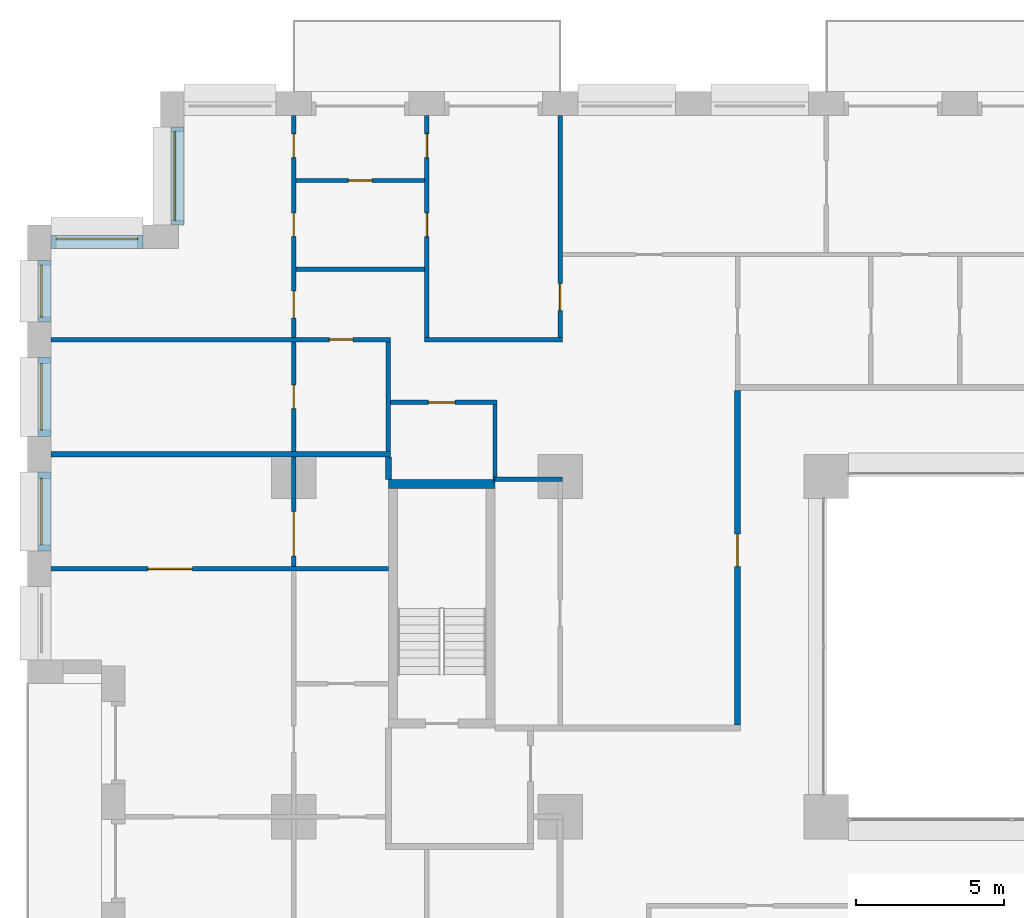
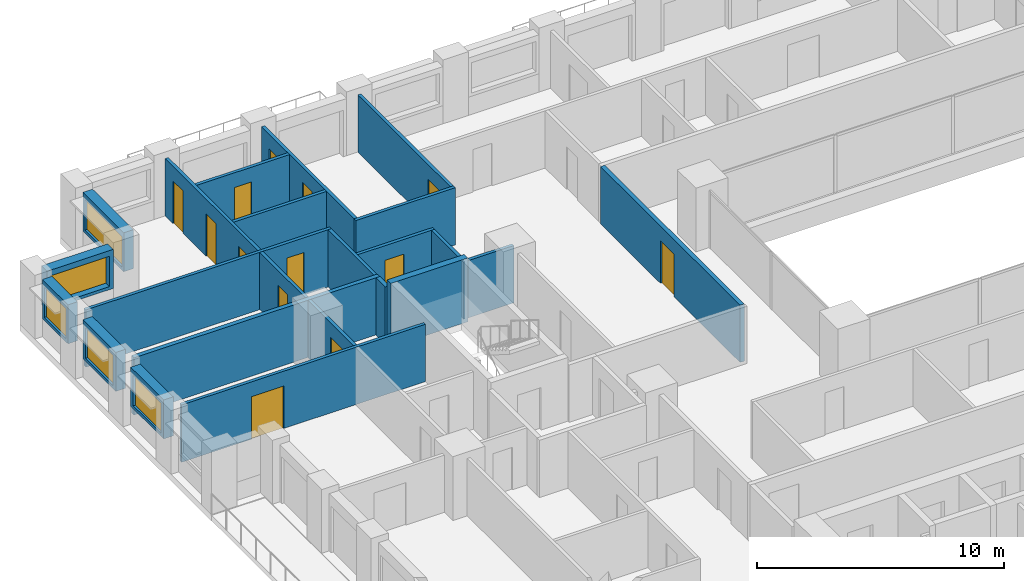
# One storey, part 13 of 19: 24 walls, 13 doors, 5 windows, 18 openings.
"""IFC4 building model written with IfcOpenShell, lengths in metres."""

from ifc_helpers import new_model, si_unit, direction, frame, frame_2d, origin, place, context, subcontext, project, spatial, rectangle, extrude, material, layer, layer_set, type_object, element, fill, save


model = new_model("IFC4")

# Units and contexts
model_context = context("Model", 3, precision=1e-05, world=origin(), true_north=direction((0.0, 1.0)))
body_context = subcontext(model_context, "Body", "Model", "MODEL_VIEW")
ifc_project = project(units=[si_unit("LENGTHUNIT", "METRE"), si_unit("AREAUNIT", "SQUARE_METRE"), si_unit("VOLUMEUNIT", "CUBIC_METRE"), si_unit("PLANEANGLEUNIT", "RADIAN"), si_unit("MASSUNIT", "GRAM", prefix="KILO")], contexts=[model_context])

# Site, building, storey
site_placement = place(None, origin())
site = spatial("IfcSite", under=ifc_project, at=site_placement, CompositionType="ELEMENT")
building_placement = place(site_placement, origin())
building = spatial("IfcBuilding", under=site, at=building_placement, Name="Brigalow Station Residences", CompositionType="ELEMENT")
storey_placement = place(building_placement, frame((0.0, 0.0, 35.25)))
storey = spatial("IfcBuildingStorey", under=building, at=storey_placement, Name="L09", CompositionType="ELEMENT", Elevation=35.25)

# Wall, opening, window
ifc_material_1 = material(Name="Clay brick masonry", Category="masonry")
ifc_layer_1 = layer(ifc_material_1, 0.449951171875)
ifc_layer_set_1 = layer_set([ifc_layer_1], Name="BRICK INFILL WALL 450")
wall_type_1 = type_object("IfcWallType", Name="BRICK INFILL WALL 450", PredefinedType="SOLIDWALL", material=ifc_layer_set_1)
wall_1_placement = place(storey_placement, frame((5.074951171875, 47.300048828125, 0.89990234375), z_axis=(0.0, 0.0, 1.0), x_axis=(0.0, -1.0, 0.0)))
wall_1 = element("IfcWall", 1, at=wall_1_placement, inside=storey, type_object=wall_type_1, Name="L09/ewall/W-L09-40", PredefinedType="SOLIDWALL", context=body_context, shape_type="SweptSolid", body=[
    extrude(rectangle(XDim=3.300048828125, YDim=0.449951171875, at=frame_2d((1.64990234375, 0.0))), origin(), (0.0, 0.0, 1.0), 1.93017578125),
])
opening_1_placement = place(wall_1_placement, frame((0.14990234375, 0.0, 0.14990234375)))
opening_1 = element("IfcOpeningElement", 2, at=opening_1_placement, cuts=wall_1, Name="Opening WT-2", PredefinedType="OPENING", context=body_context, shape_type="SweptSolid", body=[
    extrude(rectangle(XDim=3.0, YDim=1.5, at=frame_2d((1.5, 0.75))), frame((0.0, 0.23486328125, 0.0), z_axis=(0.0, -1.0, 0.0), x_axis=(1.0, 0.0, 0.0)), (0.0, 0.0, 1.0), 0.469970703125),
])
ifc_material_2 = material(Name="Anodised aluminium frame with double glazing", Category="aluminium")
window_type_1 = type_object("IfcWindowType", Name="WINDOW 3000x1500", PartitioningType="SINGLE_PANEL", PredefinedType="WINDOW", material=ifc_material_2)
window_1_placement = place(opening_1_placement, origin())
window_1 = element("IfcWindow", 3, at=window_1_placement, inside=storey, type_object=window_type_1, Name="L09/window/W-L09-40", OverallHeight=1.5, OverallWidth=3.0, PartitioningType="SINGLE_PANEL", PredefinedType="WINDOW", context=body_context, shape_type="SweptSolid", body=[
    extrude(rectangle(XDim=3.0, YDim=1.5, at=frame_2d((1.5, 0.75))), frame((0.0, -0.06494140625, 0.0), z_axis=(0.0, -1.0, 0.0), x_axis=(1.0, 0.0, 0.0)), (0.0, 0.0, 1.0), 0.06005859375),
])
fill(opening_1, window_1)

wall_2_placement = place(storey_placement, frame((3.89990234375, 43.425048828125, 0.89990234375), z_axis=(0.0, 0.0, 1.0), x_axis=(-1.0, 0.0, 0.0)))
wall_2 = element("IfcWall", 4, at=wall_2_placement, inside=storey, type_object=wall_type_1, Name="L09/ewall/W-L09-41", PredefinedType="SOLIDWALL", context=body_context, shape_type="SweptSolid", body=[
    extrude(rectangle(XDim=3.099853515625, YDim=0.449951171875, at=frame_2d((1.5498046875, 0.0))), origin(), (0.0, 0.0, 1.0), 1.93017578125),
])
opening_2_placement = place(wall_2_placement, frame((0.175048828125, 0.0, 0.14990234375)))
opening_2 = element("IfcOpeningElement", 5, at=opening_2_placement, cuts=wall_2, Name="Opening WT-3", PredefinedType="OPENING", context=body_context, shape_type="SweptSolid", body=[
    extrude(rectangle(XDim=2.75, YDim=1.5, at=frame_2d((1.375, 0.75))), frame((0.0, 0.23486328125, 0.0), z_axis=(0.0, -1.0, 0.0), x_axis=(1.0, 0.0, 0.0)), (0.0, 0.0, 1.0), 0.469970703125),
])
ifc_material_3 = material(Name="Anodised aluminium frame with double glazing", Category="aluminium")
window_type_2 = type_object("IfcWindowType", Name="WINDOW 2750x1500", PartitioningType="SINGLE_PANEL", PredefinedType="WINDOW", material=ifc_material_3)
window_2_placement = place(opening_2_placement, origin())
window_2 = element("IfcWindow", 6, at=window_2_placement, inside=storey, type_object=window_type_2, Name="L09/window/W-L09-41", OverallHeight=1.5, OverallWidth=2.75, PartitioningType="SINGLE_PANEL", PredefinedType="WINDOW", context=body_context, shape_type="SweptSolid", body=[
    extrude(rectangle(XDim=2.75, YDim=1.5, at=frame_2d((1.375, 0.75))), frame((0.0, -0.06494140625, 0.0), z_axis=(0.0, -1.0, 0.0), x_axis=(1.0, 0.0, 0.0)), (0.0, 0.0, 1.0), 0.06005859375),
])
fill(opening_2, window_2)

wall_3_placement = place(storey_placement, frame((0.574951171875, 42.800048828125, 0.89990234375), z_axis=(0.0, 0.0, 1.0), x_axis=(0.0, -1.0, 0.0)))
wall_3 = element("IfcWall", 7, at=wall_3_placement, inside=storey, type_object=wall_type_1, Name="L09/ewall/W-L09-42", PredefinedType="SOLIDWALL", context=body_context, shape_type="SweptSolid", body=[
    extrude(rectangle(XDim=2.074951171875, YDim=0.449951171875, at=frame_2d((1.03759765625, 0.0))), origin(), (0.0, 0.0, 1.0), 1.93017578125),
])
opening_3_placement = place(wall_3_placement, frame((0.16259765625, 0.0, 0.14990234375)))
opening_3 = element("IfcOpeningElement", 8, at=opening_3_placement, cuts=wall_3, Name="Opening WT-4", PredefinedType="OPENING", context=body_context, shape_type="SweptSolid", body=[
    extrude(rectangle(XDim=1.75, YDim=1.5, at=frame_2d((0.875, 0.75))), frame((0.0, 0.23486328125, 0.0), z_axis=(0.0, -1.0, 0.0), x_axis=(1.0, 0.0, 0.0)), (0.0, 0.0, 1.0), 0.469970703125),
])
ifc_material_4 = material(Name="Anodised aluminium frame with double glazing", Category="aluminium")
window_type_3 = type_object("IfcWindowType", Name="WINDOW 1750x1500", PartitioningType="SINGLE_PANEL", PredefinedType="WINDOW", material=ifc_material_4)
window_3_placement = place(opening_3_placement, origin())
window_3 = element("IfcWindow", 9, at=window_3_placement, inside=storey, type_object=window_type_3, Name="L09/window/W-L09-42", OverallHeight=1.5, OverallWidth=1.75, PartitioningType="SINGLE_PANEL", PredefinedType="WINDOW", context=body_context, shape_type="SweptSolid", body=[
    extrude(rectangle(XDim=1.75, YDim=1.5, at=frame_2d((0.875, 0.75))), frame((0.0, -0.06494140625, 0.0), z_axis=(0.0, -1.0, 0.0), x_axis=(1.0, 0.0, 0.0)), (0.0, 0.0, 1.0), 0.06005859375),
])
fill(opening_3, window_3)

wall_4_placement = place(storey_placement, frame((0.574951171875, 39.52490234375, 0.89990234375), z_axis=(0.0, 0.0, 1.0), x_axis=(0.0, -1.0, 0.0)))
wall_4 = element("IfcWall", 10, at=wall_4_placement, inside=storey, type_object=wall_type_1, Name="L09/ewall/W-L09-43", PredefinedType="SOLIDWALL", context=body_context, shape_type="SweptSolid", body=[
    extrude(rectangle(XDim=2.6748046875, YDim=0.449951171875, at=frame_2d((1.33740234375, 0.0))), origin(), (0.0, 0.0, 1.0), 1.93017578125),
])
opening_4_placement = place(wall_4_placement, frame((0.21240234375, 0.0, 0.14990234375)))
opening_4 = element("IfcOpeningElement", 11, at=opening_4_placement, cuts=wall_4, Name="Opening WT-6", PredefinedType="OPENING", context=body_context, shape_type="SweptSolid", body=[
    extrude(rectangle(XDim=2.25, YDim=1.5, at=frame_2d((1.125, 0.75))), frame((0.0, 0.23486328125, 0.0), z_axis=(0.0, -1.0, 0.0), x_axis=(1.0, 0.0, 0.0)), (0.0, 0.0, 1.0), 0.469970703125),
])
ifc_material_5 = material(Name="Anodised aluminium frame with double glazing", Category="aluminium")
window_type_4 = type_object("IfcWindowType", Name="WINDOW 2250x1500", PartitioningType="SINGLE_PANEL", PredefinedType="WINDOW", material=ifc_material_5)
window_4_placement = place(opening_4_placement, origin())
window_4 = element("IfcWindow", 12, at=window_4_placement, inside=storey, type_object=window_type_4, Name="L09/window/W-L09-43", OverallHeight=1.5, OverallWidth=2.25, PartitioningType="SINGLE_PANEL", PredefinedType="WINDOW", context=body_context, shape_type="SweptSolid", body=[
    extrude(rectangle(XDim=2.25, YDim=1.5, at=frame_2d((1.125, 0.75))), frame((0.0, -0.06494140625, 0.0), z_axis=(0.0, -1.0, 0.0), x_axis=(1.0, 0.0, 0.0)), (0.0, 0.0, 1.0), 0.06005859375),
])
fill(opening_4, window_4)

wall_5_placement = place(storey_placement, frame((0.574951171875, 35.64990234375, 0.89990234375), z_axis=(0.0, 0.0, 1.0), x_axis=(0.0, -1.0, 0.0)))
wall_5 = element("IfcWall", 13, at=wall_5_placement, inside=storey, type_object=wall_type_1, Name="L09/ewall/W-L09-44", PredefinedType="SOLIDWALL", context=body_context, shape_type="SweptSolid", body=[
    extrude(rectangle(XDim=2.6748046875, YDim=0.449951171875, at=frame_2d((1.33740234375, 0.0))), origin(), (0.0, 0.0, 1.0), 1.93017578125),
])
opening_5_placement = place(wall_5_placement, frame((0.21240234375, 0.0, 0.14990234375)))
opening_5 = element("IfcOpeningElement", 14, at=opening_5_placement, cuts=wall_5, Name="Opening WT-6", PredefinedType="OPENING", context=body_context, shape_type="SweptSolid", body=[
    extrude(rectangle(XDim=2.25, YDim=1.5, at=frame_2d((1.125, 0.75))), frame((0.0, 0.23486328125, 0.0), z_axis=(0.0, -1.0, 0.0), x_axis=(1.0, 0.0, 0.0)), (0.0, 0.0, 1.0), 0.469970703125),
])
window_5_placement = place(opening_5_placement, origin())
window_5 = element("IfcWindow", 15, at=window_5_placement, inside=storey, type_object=window_type_4, Name="L09/window/W-L09-44", OverallHeight=1.5, OverallWidth=2.25, PartitioningType="SINGLE_PANEL", PredefinedType="WINDOW", context=body_context, shape_type="SweptSolid", body=[
    extrude(rectangle(XDim=2.25, YDim=1.5, at=frame_2d((1.125, 0.75))), frame((0.0, -0.06494140625, 0.0), z_axis=(0.0, -1.0, 0.0), x_axis=(1.0, 0.0, 0.0)), (0.0, 0.0, 1.0), 0.06005859375),
])
fill(opening_5, window_5)

# Wall
ifc_material_6 = material(Name="Concrete C80", Category="concrete")
ifc_layer_2 = layer(ifc_material_6, 0.300048828125)
ifc_layer_set_2 = layer_set([ifc_layer_2], Name="CORE SHEAR WALL 300 C80")
wall_type_2 = type_object("IfcWallType", Name="CORE SHEAR WALL 300 C80", PredefinedType="SHEAR", material=ifc_layer_set_2)
wall_6_placement = place(storey_placement, frame((12.199951171875, 35.25, 0.0), z_axis=(0.0, 0.0, 1.0), x_axis=(1.0, 0.0, 0.0)))
element("IfcWall", 16, at=wall_6_placement, inside=storey, type_object=wall_type_2, Name="CORE WALL ST-S1-N L09", PredefinedType="SHEAR", context=body_context, shape_type="SweptSolid", body=[
    extrude(rectangle(XDim=3.60009765625, YDim=0.300048828125, at=frame_2d((1.800048828125, 0.0))), origin(), (0.0, 0.0, 1.0), 3.14990234375),
])

# Wall, opening, door
ifc_material_7 = material(Name="Plasterboard on steel stud partition", Category="steel")
ifc_layer_3 = layer(ifc_material_7, 0.14990234375)
ifc_layer_set_3 = layer_set([ifc_layer_3], Name="FLAT PARTITION 150")
wall_type_3 = type_object("IfcWallType", Name="FLAT PARTITION 150", PredefinedType="PARTITIONING", material=ifc_layer_set_3)
wall_7_placement = place(storey_placement, frame((0.800048828125, 32.375, 0.0), z_axis=(0.0, 0.0, 1.0), x_axis=(1.0, 0.0, 0.0)))
wall_7 = element("IfcWall", 17, at=wall_7_placement, inside=storey, type_object=wall_type_3, Name="PW-1B17", PredefinedType="PARTITIONING", context=body_context, shape_type="SweptSolid", body=[
    extrude(rectangle(XDim=11.39990234375, YDim=0.14990234375, at=frame_2d((5.699951171875, 0.0))), origin(), (0.0, 0.0, 1.0), 2.830078125),
])
opening_6_placement = place(wall_7_placement, frame((3.27490234375, 0.0, 0.0)))
opening_6 = element("IfcOpeningElement", 18, at=opening_6_placement, cuts=wall_7, Name="Opening D-1B09", PredefinedType="OPENING", context=body_context, shape_type="SweptSolid", body=[
    extrude(rectangle(XDim=1.5, YDim=2.10009765625, at=frame_2d((0.75, 1.050048828125))), frame((0.0, 0.0849609375, 0.0), z_axis=(0.0, -1.0, 0.0), x_axis=(1.0, 0.0, 0.0)), (0.0, 0.0, 1.0), 0.169921875),
])
ifc_material_8 = material(Name="Solid-core timber door leaf", Category="wood")
door_type_1 = type_object("IfcDoorType", Name="INTERNAL DOUBLE DOOR 1500 x 2100", OperationType="DOUBLE_DOOR_SINGLE_SWING", PredefinedType="DOOR", material=ifc_material_8)
door_1_placement = place(opening_6_placement, origin())
door_1 = element("IfcDoor", 19, at=door_1_placement, inside=storey, type_object=door_type_1, Name="D-1B09", OperationType="DOUBLE_DOOR_SINGLE_SWING", OverallHeight=2.10009765625, OverallWidth=1.5, PredefinedType="DOOR", context=body_context, shape_type="SweptSolid", body=[
    extrude(rectangle(XDim=1.5, YDim=2.10009765625, at=frame_2d((0.75, 1.050048828125))), frame((0.0, 0.02490234375, 0.0), z_axis=(0.0, -1.0, 0.0), x_axis=(1.0, 0.0, 0.0)), (0.0, 0.0, 1.0), 0.050048828125),
])
fill(opening_6, door_1)

# Walls
wall_8_placement = place(storey_placement, frame((15.72509765625, 35.39990234375, 0.0), z_axis=(0.0, 0.0, 1.0), x_axis=(1.0, 0.0, 0.0)))
element("IfcWall", 20, at=wall_8_placement, inside=storey, type_object=wall_type_3, Name="PW-1B25", PredefinedType="PARTITIONING", context=body_context, shape_type="SweptSolid", body=[
    extrude(rectangle(XDim=0.074951171875, YDim=0.14990234375, at=frame_2d((0.03759765625, 0.0))), origin(), (0.0, 0.0, 1.0), 2.830078125),
])
wall_9_placement = place(storey_placement, frame((15.800048828125, 35.39990234375, 0.0), z_axis=(0.0, 0.0, 1.0), x_axis=(1.0, 0.0, 0.0)))
element("IfcWall", 21, at=wall_9_placement, inside=storey, type_object=wall_type_3, Name="PW-1B26", PredefinedType="PARTITIONING", context=body_context, shape_type="SweptSolid", body=[
    extrude(rectangle(XDim=2.27490234375, YDim=0.14990234375, at=frame_2d((1.137451171875, 0.0))), origin(), (0.0, 0.0, 1.0), 2.830078125),
])

# Wall, opening, door
wall_10_placement = place(storey_placement, frame((0.800048828125, 40.125, 0.0), z_axis=(0.0, 0.0, 1.0), x_axis=(1.0, 0.0, 0.0)))
wall_10 = element("IfcWall", 22, at=wall_10_placement, inside=storey, type_object=wall_type_3, Name="PW-1B29", PredefinedType="PARTITIONING", context=body_context, shape_type="SweptSolid", body=[
    extrude(rectangle(XDim=11.474853515625, YDim=0.14990234375, at=frame_2d((5.7373046875, 0.0))), origin(), (0.0, 0.0, 1.0), 2.830078125),
])
opening_7_placement = place(wall_10_placement, frame((9.39990234375, 0.0, 0.0)))
opening_7 = element("IfcOpeningElement", 23, at=opening_7_placement, cuts=wall_10, Name="Opening D-1B33", PredefinedType="OPENING", context=body_context, shape_type="SweptSolid", body=[
    extrude(rectangle(XDim=0.800048828125, YDim=2.10009765625, at=frame_2d((0.39990234375, 1.050048828125))), frame((0.0, 0.0849609375, 0.0), z_axis=(0.0, -1.0, 0.0), x_axis=(1.0, 0.0, 0.0)), (0.0, 0.0, 1.0), 0.169921875),
])
ifc_material_9 = material(Name="Solid-core timber door leaf", Category="wood")
door_type_2 = type_object("IfcDoorType", Name="INTERNAL DOOR 800 x 2100", OperationType="SINGLE_SWING_LEFT", PredefinedType="DOOR", material=ifc_material_9)
door_2_placement = place(opening_7_placement, frame((0.800048828125, 0.0, 0.0), z_axis=(0.0, 0.0, 1.0), x_axis=(-1.0, 0.0, 0.0)))
door_2 = element("IfcDoor", 24, at=door_2_placement, inside=storey, type_object=door_type_2, Name="D-1B33", OperationType="SINGLE_SWING_RIGHT", OverallHeight=2.10009765625, OverallWidth=0.800048828125, PredefinedType="DOOR", context=body_context, shape_type="SweptSolid", body=[
    extrude(rectangle(XDim=0.800048828125, YDim=2.10009765625, at=frame_2d((0.39990234375, 1.050048828125))), frame((0.0, 0.02490234375, 0.0), z_axis=(0.0, -1.0, 0.0), x_axis=(1.0, 0.0, 0.0)), (0.0, 0.0, 1.0), 0.050048828125),
])
fill(opening_7, door_2)

# Wall
wall_11_placement = place(storey_placement, frame((13.425048828125, 40.125, 0.0), z_axis=(0.0, 0.0, 1.0), x_axis=(1.0, 0.0, 0.0)))
element("IfcWall", 25, at=wall_11_placement, inside=storey, type_object=wall_type_3, Name="PW-1B30", PredefinedType="PARTITIONING", context=body_context, shape_type="SweptSolid", body=[
    extrude(rectangle(XDim=4.64990234375, YDim=0.14990234375, at=frame_2d((2.324951171875, 0.0))), origin(), (0.0, 0.0, 1.0), 2.830078125),
])

# Wall, opening, door
wall_12_placement = place(storey_placement, frame((12.27490234375, 38.0, 0.0), z_axis=(0.0, 0.0, 1.0), x_axis=(1.0, 0.0, 0.0)))
wall_12 = element("IfcWall", 26, at=wall_12_placement, inside=storey, type_object=wall_type_3, Name="PW-1B32", PredefinedType="PARTITIONING", context=body_context, shape_type="SweptSolid", body=[
    extrude(rectangle(XDim=3.60009765625, YDim=0.14990234375, at=frame_2d((1.800048828125, 0.0))), origin(), (0.0, 0.0, 1.0), 2.830078125),
])
opening_8_placement = place(wall_12_placement, frame((1.27490234375, 0.0, 0.0)))
opening_8 = element("IfcOpeningElement", 27, at=opening_8_placement, cuts=wall_12, Name="Opening D-1B32", PredefinedType="OPENING", context=body_context, shape_type="SweptSolid", body=[
    extrude(rectangle(XDim=0.89990234375, YDim=2.10009765625, at=frame_2d((0.449951171875, 1.050048828125))), frame((0.0, 0.0849609375, 0.0), z_axis=(0.0, -1.0, 0.0), x_axis=(1.0, 0.0, 0.0)), (0.0, 0.0, 1.0), 0.169921875),
])
ifc_material_10 = material(Name="Solid-core timber door leaf", Category="wood")
door_type_3 = type_object("IfcDoorType", Name="INTERNAL DOOR 900 x 2100", OperationType="SINGLE_SWING_LEFT", PredefinedType="DOOR", material=ifc_material_10)
door_3_placement = place(opening_8_placement, frame((0.89990234375, 0.0, 0.0), z_axis=(0.0, 0.0, 1.0), x_axis=(-1.0, 0.0, 0.0)))
door_3 = element("IfcDoor", 28, at=door_3_placement, inside=storey, type_object=door_type_3, Name="D-1B32", OperationType="SINGLE_SWING_LEFT", OverallHeight=2.10009765625, OverallWidth=0.89990234375, PredefinedType="DOOR", context=body_context, shape_type="SweptSolid", body=[
    extrude(rectangle(XDim=0.89990234375, YDim=2.10009765625, at=frame_2d((0.449951171875, 1.050048828125))), frame((0.0, 0.02490234375, 0.0), z_axis=(0.0, -1.0, 0.0), x_axis=(1.0, 0.0, 0.0)), (0.0, 0.0, 1.0), 0.050048828125),
])
fill(opening_8, door_3)

# Wall
wall_13_placement = place(storey_placement, frame((9.074951171875, 42.5, 0.0), z_axis=(0.0, 0.0, 1.0), x_axis=(1.0, 0.0, 0.0)))
element("IfcWall", 29, at=wall_13_placement, inside=storey, type_object=wall_type_3, Name="PW-1B33", PredefinedType="PARTITIONING", context=body_context, shape_type="SweptSolid", body=[
    extrude(rectangle(XDim=4.35009765625, YDim=0.14990234375, at=frame_2d((2.175048828125, 0.0))), origin(), (0.0, 0.0, 1.0), 2.830078125),
])

# Wall, opening, door
wall_14_placement = place(storey_placement, frame((9.074951171875, 45.5, 0.0), z_axis=(0.0, 0.0, 1.0), x_axis=(1.0, 0.0, 0.0)))
wall_14 = element("IfcWall", 30, at=wall_14_placement, inside=storey, type_object=wall_type_3, Name="PW-1B34", PredefinedType="PARTITIONING", context=body_context, shape_type="SweptSolid", body=[
    extrude(rectangle(XDim=4.35009765625, YDim=0.14990234375, at=frame_2d((2.175048828125, 0.0))), origin(), (0.0, 0.0, 1.0), 2.830078125),
])
opening_9_placement = place(wall_14_placement, frame((1.77490234375, 0.0, 0.0)))
opening_9 = element("IfcOpeningElement", 31, at=opening_9_placement, cuts=wall_14, Name="Opening D-1B25", PredefinedType="OPENING", context=body_context, shape_type="SweptSolid", body=[
    extrude(rectangle(XDim=0.800048828125, YDim=2.10009765625, at=frame_2d((0.39990234375, 1.050048828125))), frame((0.0, 0.0849609375, 0.0), z_axis=(0.0, -1.0, 0.0), x_axis=(1.0, 0.0, 0.0)), (0.0, 0.0, 1.0), 0.169921875),
])
door_4_placement = place(opening_9_placement, origin())
door_4 = element("IfcDoor", 32, at=door_4_placement, inside=storey, type_object=door_type_2, Name="D-1B25", OperationType="SINGLE_SWING_RIGHT", OverallHeight=2.10009765625, OverallWidth=0.800048828125, PredefinedType="DOOR", context=body_context, shape_type="SweptSolid", body=[
    extrude(rectangle(XDim=0.800048828125, YDim=2.10009765625, at=frame_2d((0.39990234375, 1.050048828125))), frame((0.0, 0.02490234375, 0.0), z_axis=(0.0, -1.0, 0.0), x_axis=(1.0, 0.0, 0.0)), (0.0, 0.0, 1.0), 0.050048828125),
])
fill(opening_9, door_4)

wall_15_placement = place(storey_placement, frame((18.0, 40.199951171875, 0.0), z_axis=(0.0, 0.0, 1.0), x_axis=(0.0, 1.0, 0.0)))
wall_15 = element("IfcWall", 33, at=wall_15_placement, inside=storey, type_object=wall_type_3, Name="PW-1B38", PredefinedType="PARTITIONING", context=body_context, shape_type="SweptSolid", body=[
    extrude(rectangle(XDim=7.5, YDim=0.14990234375, at=frame_2d((3.75, 0.0))), origin(), (0.0, 0.0, 1.0), 2.830078125),
])
opening_10_placement = place(wall_15_placement, frame((0.912109375, 0.0, 0.0)))
opening_10 = element("IfcOpeningElement", 34, at=opening_10_placement, cuts=wall_15, Name="Opening D-1B20", PredefinedType="OPENING", context=body_context, shape_type="SweptSolid", body=[
    extrude(rectangle(XDim=0.89990234375, YDim=2.10009765625, at=frame_2d((0.449951171875, 1.050048828125))), frame((0.0, 0.0849609375, 0.0), z_axis=(0.0, -1.0, 0.0), x_axis=(1.0, 0.0, 0.0)), (0.0, 0.0, 1.0), 0.169921875),
])
door_5_placement = place(opening_10_placement, origin())
door_5 = element("IfcDoor", 35, at=door_5_placement, inside=storey, type_object=door_type_3, Name="D-1B20", OperationType="SINGLE_SWING_LEFT", OverallHeight=2.10009765625, OverallWidth=0.89990234375, PredefinedType="DOOR", context=body_context, shape_type="SweptSolid", body=[
    extrude(rectangle(XDim=0.89990234375, YDim=2.10009765625, at=frame_2d((0.449951171875, 1.050048828125))), frame((0.0, 0.02490234375, 0.0), z_axis=(0.0, -1.0, 0.0), x_axis=(1.0, 0.0, 0.0)), (0.0, 0.0, 1.0), 0.050048828125),
])
fill(opening_10, door_5)

wall_16_placement = place(storey_placement, frame((9.0, 32.449951171875, 0.0), z_axis=(0.0, 0.0, 1.0), x_axis=(0.0, 1.0, 0.0)))
wall_16 = element("IfcWall", 36, at=wall_16_placement, inside=storey, type_object=wall_type_3, Name="PW-1B53", PredefinedType="PARTITIONING", context=body_context, shape_type="SweptSolid", body=[
    extrude(rectangle(XDim=3.699951171875, YDim=0.14990234375, at=frame_2d((1.85009765625, 0.0))), origin(), (0.0, 0.0, 1.0), 2.830078125),
])
opening_11_placement = place(wall_16_placement, frame((0.362060546875, 0.0, 0.0)))
opening_11 = element("IfcOpeningElement", 37, at=opening_11_placement, cuts=wall_16, Name="Opening D-1B16", PredefinedType="OPENING", context=body_context, shape_type="SweptSolid", body=[
    extrude(rectangle(XDim=1.5, YDim=2.10009765625, at=frame_2d((0.75, 1.050048828125))), frame((0.0, 0.0849609375, 0.0), z_axis=(0.0, -1.0, 0.0), x_axis=(1.0, 0.0, 0.0)), (0.0, 0.0, 1.0), 0.169921875),
])
door_6_placement = place(opening_11_placement, frame((1.5, 0.0, 0.0), z_axis=(0.0, 0.0, 1.0), x_axis=(-1.0, 0.0, 0.0)))
door_6 = element("IfcDoor", 38, at=door_6_placement, inside=storey, type_object=door_type_1, Name="D-1B16", OperationType="DOUBLE_DOOR_SINGLE_SWING", OverallHeight=2.10009765625, OverallWidth=1.5, PredefinedType="DOOR", context=body_context, shape_type="SweptSolid", body=[
    extrude(rectangle(XDim=1.5, YDim=2.10009765625, at=frame_2d((0.75, 1.050048828125))), frame((0.0, 0.02490234375, 0.0), z_axis=(0.0, -1.0, 0.0), x_axis=(1.0, 0.0, 0.0)), (0.0, 0.0, 1.0), 0.050048828125),
])
fill(opening_11, door_6)

wall_17_placement = place(storey_placement, frame((9.0, 36.35009765625, 0.0), z_axis=(0.0, 0.0, 1.0), x_axis=(0.0, 1.0, 0.0)))
wall_17 = element("IfcWall", 39, at=wall_17_placement, inside=storey, type_object=wall_type_3, Name="PW-1B54", PredefinedType="PARTITIONING", context=body_context, shape_type="SweptSolid", body=[
    extrude(rectangle(XDim=3.699951171875, YDim=0.14990234375, at=frame_2d((1.85009765625, 0.0))), origin(), (0.0, 0.0, 1.0), 2.830078125),
])
opening_12_placement = place(wall_17_placement, frame((1.43798828125, 0.0, 0.0)))
opening_12 = element("IfcOpeningElement", 40, at=opening_12_placement, cuts=wall_17, Name="Opening D-1B21", PredefinedType="OPENING", context=body_context, shape_type="SweptSolid", body=[
    extrude(rectangle(XDim=0.800048828125, YDim=2.10009765625, at=frame_2d((0.39990234375, 1.050048828125))), frame((0.0, 0.0849609375, 0.0), z_axis=(0.0, -1.0, 0.0), x_axis=(1.0, 0.0, 0.0)), (0.0, 0.0, 1.0), 0.169921875),
])
door_7_placement = place(opening_12_placement, frame((0.800048828125, 0.0, 0.0), z_axis=(0.0, 0.0, 1.0), x_axis=(-1.0, 0.0, 0.0)))
door_7 = element("IfcDoor", 41, at=door_7_placement, inside=storey, type_object=door_type_2, Name="D-1B21", OperationType="SINGLE_SWING_RIGHT", OverallHeight=2.10009765625, OverallWidth=0.800048828125, PredefinedType="DOOR", context=body_context, shape_type="SweptSolid", body=[
    extrude(rectangle(XDim=0.800048828125, YDim=2.10009765625, at=frame_2d((0.39990234375, 1.050048828125))), frame((0.0, 0.02490234375, 0.0), z_axis=(0.0, -1.0, 0.0), x_axis=(1.0, 0.0, 0.0)), (0.0, 0.0, 1.0), 0.050048828125),
])
fill(opening_12, door_7)

# Wall, openings, doors
wall_18_placement = place(storey_placement, frame((9.0, 40.199951171875, 0.0), z_axis=(0.0, 0.0, 1.0), x_axis=(0.0, 1.0, 0.0)))
wall_18 = element("IfcWall", 42, at=wall_18_placement, inside=storey, type_object=wall_type_3, Name="PW-1B55", PredefinedType="PARTITIONING", context=body_context, shape_type="SweptSolid", body=[
    extrude(rectangle(XDim=7.5, YDim=0.14990234375, at=frame_2d((3.75, 0.0))), origin(), (0.0, 0.0, 1.0), 2.830078125),
])
opening_13_placement = place(wall_18_placement, frame((6.074951171875, 0.0, 0.0)))
opening_13 = element("IfcOpeningElement", 43, at=opening_13_placement, cuts=wall_18, Name="Opening D-1B26", PredefinedType="OPENING", context=body_context, shape_type="SweptSolid", body=[
    extrude(rectangle(XDim=0.800048828125, YDim=2.10009765625, at=frame_2d((0.39990234375, 1.050048828125))), frame((0.0, 0.0849609375, 0.0), z_axis=(0.0, -1.0, 0.0), x_axis=(1.0, 0.0, 0.0)), (0.0, 0.0, 1.0), 0.169921875),
])
opening_14_placement = place(wall_18_placement, frame((3.39990234375, 0.0, 0.0)))
opening_14 = element("IfcOpeningElement", 44, at=opening_14_placement, cuts=wall_18, Name="Opening D-1B27", PredefinedType="OPENING", context=body_context, shape_type="SweptSolid", body=[
    extrude(rectangle(XDim=0.800048828125, YDim=2.10009765625, at=frame_2d((0.39990234375, 1.050048828125))), frame((0.0, 0.0849609375, 0.0), z_axis=(0.0, -1.0, 0.0), x_axis=(1.0, 0.0, 0.0)), (0.0, 0.0, 1.0), 0.169921875),
])
opening_15_placement = place(wall_18_placement, frame((0.662109375, 0.0, 0.0)))
opening_15 = element("IfcOpeningElement", 45, at=opening_15_placement, cuts=wall_18, Name="Opening D-1B31", PredefinedType="OPENING", context=body_context, shape_type="SweptSolid", body=[
    extrude(rectangle(XDim=0.89990234375, YDim=2.10009765625, at=frame_2d((0.449951171875, 1.050048828125))), frame((0.0, 0.0849609375, 0.0), z_axis=(0.0, -1.0, 0.0), x_axis=(1.0, 0.0, 0.0)), (0.0, 0.0, 1.0), 0.169921875),
])
door_8_placement = place(opening_13_placement, frame((0.800048828125, 0.0, 0.0), z_axis=(0.0, 0.0, 1.0), x_axis=(-1.0, 0.0, 0.0)))
door_8 = element("IfcDoor", 46, at=door_8_placement, inside=storey, type_object=door_type_2, Name="D-1B26", OperationType="SINGLE_SWING_LEFT", OverallHeight=2.10009765625, OverallWidth=0.800048828125, PredefinedType="DOOR", context=body_context, shape_type="SweptSolid", body=[
    extrude(rectangle(XDim=0.800048828125, YDim=2.10009765625, at=frame_2d((0.39990234375, 1.050048828125))), frame((0.0, 0.02490234375, 0.0), z_axis=(0.0, -1.0, 0.0), x_axis=(1.0, 0.0, 0.0)), (0.0, 0.0, 1.0), 0.050048828125),
])
fill(opening_13, door_8)
door_9_placement = place(opening_14_placement, frame((0.800048828125, 0.0, 0.0), z_axis=(0.0, 0.0, 1.0), x_axis=(-1.0, 0.0, 0.0)))
door_9 = element("IfcDoor", 47, at=door_9_placement, inside=storey, type_object=door_type_2, Name="D-1B27", OperationType="SINGLE_SWING_LEFT", OverallHeight=2.10009765625, OverallWidth=0.800048828125, PredefinedType="DOOR", context=body_context, shape_type="SweptSolid", body=[
    extrude(rectangle(XDim=0.800048828125, YDim=2.10009765625, at=frame_2d((0.39990234375, 1.050048828125))), frame((0.0, 0.02490234375, 0.0), z_axis=(0.0, -1.0, 0.0), x_axis=(1.0, 0.0, 0.0)), (0.0, 0.0, 1.0), 0.050048828125),
])
fill(opening_14, door_9)
door_10_placement = place(opening_15_placement, origin())
door_10 = element("IfcDoor", 48, at=door_10_placement, inside=storey, type_object=door_type_3, Name="D-1B31", OperationType="SINGLE_SWING_LEFT", OverallHeight=2.10009765625, OverallWidth=0.89990234375, PredefinedType="DOOR", context=body_context, shape_type="SweptSolid", body=[
    extrude(rectangle(XDim=0.89990234375, YDim=2.10009765625, at=frame_2d((0.449951171875, 1.050048828125))), frame((0.0, 0.02490234375, 0.0), z_axis=(0.0, -1.0, 0.0), x_axis=(1.0, 0.0, 0.0)), (0.0, 0.0, 1.0), 0.050048828125),
])
fill(opening_15, door_10)

wall_19_placement = place(storey_placement, frame((13.5, 40.199951171875, 0.0), z_axis=(0.0, 0.0, 1.0), x_axis=(0.0, 1.0, 0.0)))
wall_19 = element("IfcWall", 49, at=wall_19_placement, inside=storey, type_object=wall_type_3, Name="PW-1B58", PredefinedType="PARTITIONING", context=body_context, shape_type="SweptSolid", body=[
    extrude(rectangle(XDim=7.5, YDim=0.14990234375, at=frame_2d((3.75, 0.0))), origin(), (0.0, 0.0, 1.0), 2.830078125),
])
opening_16_placement = place(wall_19_placement, frame((6.074951171875, 0.0, 0.0)))
opening_16 = element("IfcOpeningElement", 50, at=opening_16_placement, cuts=wall_19, Name="Opening D-1B18", PredefinedType="OPENING", context=body_context, shape_type="SweptSolid", body=[
    extrude(rectangle(XDim=0.800048828125, YDim=2.10009765625, at=frame_2d((0.39990234375, 1.050048828125))), frame((0.0, 0.0849609375, 0.0), z_axis=(0.0, -1.0, 0.0), x_axis=(1.0, 0.0, 0.0)), (0.0, 0.0, 1.0), 0.169921875),
])
opening_17_placement = place(wall_19_placement, frame((3.39990234375, 0.0, 0.0)))
opening_17 = element("IfcOpeningElement", 51, at=opening_17_placement, cuts=wall_19, Name="Opening D-1B19", PredefinedType="OPENING", context=body_context, shape_type="SweptSolid", body=[
    extrude(rectangle(XDim=0.800048828125, YDim=2.10009765625, at=frame_2d((0.39990234375, 1.050048828125))), frame((0.0, 0.0849609375, 0.0), z_axis=(0.0, -1.0, 0.0), x_axis=(1.0, 0.0, 0.0)), (0.0, 0.0, 1.0), 0.169921875),
])
door_11_placement = place(opening_16_placement, origin())
door_11 = element("IfcDoor", 52, at=door_11_placement, inside=storey, type_object=door_type_2, Name="D-1B18", OperationType="SINGLE_SWING_RIGHT", OverallHeight=2.10009765625, OverallWidth=0.800048828125, PredefinedType="DOOR", context=body_context, shape_type="SweptSolid", body=[
    extrude(rectangle(XDim=0.800048828125, YDim=2.10009765625, at=frame_2d((0.39990234375, 1.050048828125))), frame((0.0, 0.02490234375, 0.0), z_axis=(0.0, -1.0, 0.0), x_axis=(1.0, 0.0, 0.0)), (0.0, 0.0, 1.0), 0.050048828125),
])
fill(opening_16, door_11)
door_12_placement = place(opening_17_placement, origin())
door_12 = element("IfcDoor", 53, at=door_12_placement, inside=storey, type_object=door_type_2, Name="D-1B19", OperationType="SINGLE_SWING_RIGHT", OverallHeight=2.10009765625, OverallWidth=0.800048828125, PredefinedType="DOOR", context=body_context, shape_type="SweptSolid", body=[
    extrude(rectangle(XDim=0.800048828125, YDim=2.10009765625, at=frame_2d((0.39990234375, 1.050048828125))), frame((0.0, 0.02490234375, 0.0), z_axis=(0.0, -1.0, 0.0), x_axis=(1.0, 0.0, 0.0)), (0.0, 0.0, 1.0), 0.050048828125),
])
fill(opening_17, door_12)

# Walls
wall_20_placement = place(storey_placement, frame((12.199951171875, 36.35009765625, 0.0), z_axis=(0.0, 0.0, 1.0), x_axis=(0.0, 1.0, 0.0)))
element("IfcWall", 54, at=wall_20_placement, inside=storey, type_object=wall_type_3, Name="PW-1B59", PredefinedType="PARTITIONING", context=body_context, shape_type="SweptSolid", body=[
    extrude(rectangle(XDim=3.699951171875, YDim=0.14990234375, at=frame_2d((1.85009765625, 0.0))), origin(), (0.0, 0.0, 1.0), 2.830078125),
])
wall_21_placement = place(storey_placement, frame((15.800048828125, 35.47509765625, 0.0), z_axis=(0.0, 0.0, 1.0), x_axis=(0.0, 1.0, 0.0)))
element("IfcWall", 55, at=wall_21_placement, inside=storey, type_object=wall_type_3, Name="PW-1B61", PredefinedType="PARTITIONING", context=body_context, shape_type="SweptSolid", body=[
    extrude(rectangle(XDim=2.449951171875, YDim=0.14990234375, at=frame_2d((1.22509765625, 0.0))), origin(), (0.0, 0.0, 1.0), 2.830078125),
])
ifc_material_11 = material(Name="Plasterboard on steel stud partition", Category="steel")
ifc_layer_4 = layer(ifc_material_11, 0.199951171875)
ifc_layer_set_4 = layer_set([ifc_layer_4], Name="PARTY AND CORRIDOR WALL 200")
wall_type_4 = type_object("IfcWallType", Name="PARTY AND CORRIDOR WALL 200", PredefinedType="PARTITIONING", material=ifc_layer_set_4)
wall_22_placement = place(storey_placement, frame((0.800048828125, 36.25, 0.0), z_axis=(0.0, 0.0, 1.0), x_axis=(1.0, 0.0, 0.0)))
element("IfcWall", 56, at=wall_22_placement, inside=storey, type_object=wall_type_4, Name="PW-1B22", PredefinedType="PARTITIONING", context=body_context, shape_type="SweptSolid", body=[
    extrude(rectangle(XDim=11.474853515625, YDim=0.199951171875, at=frame_2d((5.7373046875, 0.0))), origin(), (0.0, 0.0, 1.0), 2.830078125),
])

# Wall, opening, door
wall_23_placement = place(storey_placement, frame((24.0, 27.10009765625, 0.0), z_axis=(0.0, 0.0, 1.0), x_axis=(0.0, 1.0, 0.0)))
wall_23 = element("IfcWall", 57, at=wall_23_placement, inside=storey, type_object=wall_type_4, Name="PW-1B47", PredefinedType="PARTITIONING", context=body_context, shape_type="SweptSolid", body=[
    extrude(rectangle(XDim=11.2998046875, YDim=0.199951171875, at=frame_2d((5.64990234375, 0.0))), origin(), (0.0, 0.0, 1.0), 2.830078125),
])
opening_18_placement = place(wall_23_placement, frame((5.35009765625, 0.0, 0.0)))
opening_18 = element("IfcOpeningElement", 58, at=opening_18_placement, cuts=wall_23, Name="Opening D-1B36", PredefinedType="OPENING", context=body_context, shape_type="SweptSolid", body=[
    extrude(rectangle(XDim=1.10009765625, YDim=2.10009765625, at=frame_2d((0.550048828125, 1.050048828125))), frame((0.0, 0.10986328125, 0.0), z_axis=(0.0, -1.0, 0.0), x_axis=(1.0, 0.0, 0.0)), (0.0, 0.0, 1.0), 0.219970703125),
])
ifc_material_12 = material(Name="Solid-core timber door leaf", Category="wood")
door_type_4 = type_object("IfcDoorType", Name="FLAT ENTRANCE DOOR 1100 x 2100 FRL -/60/30", OperationType="SINGLE_SWING_LEFT", PredefinedType="DOOR", material=ifc_material_12)
door_13_placement = place(opening_18_placement, origin())
door_13 = element("IfcDoor", 59, at=door_13_placement, inside=storey, type_object=door_type_4, Name="D-1B36", OperationType="SINGLE_SWING_LEFT", OverallHeight=2.10009765625, OverallWidth=1.10009765625, PredefinedType="DOOR", context=body_context, shape_type="SweptSolid", body=[
    extrude(rectangle(XDim=1.10009765625, YDim=2.10009765625, at=frame_2d((0.550048828125, 1.050048828125))), frame((0.0, 0.02490234375, 0.0), z_axis=(0.0, -1.0, 0.0), x_axis=(1.0, 0.0, 0.0)), (0.0, 0.0, 1.0), 0.050048828125),
])
fill(opening_18, door_13)

# Wall
wall_24_placement = place(storey_placement, frame((12.199951171875, 35.39990234375, 0.0), z_axis=(0.0, 0.0, 1.0), x_axis=(0.0, 1.0, 0.0)))
element("IfcWall", 60, at=wall_24_placement, inside=storey, type_object=wall_type_4, Name="PW-1B60", PredefinedType="PARTITIONING", context=body_context, shape_type="SweptSolid", body=[
    extrude(rectangle(XDim=0.75, YDim=0.199951171875, at=frame_2d((0.375, 0.0))), origin(), (0.0, 0.0, 1.0), 2.830078125),
])

save(model, "model.ifc")
